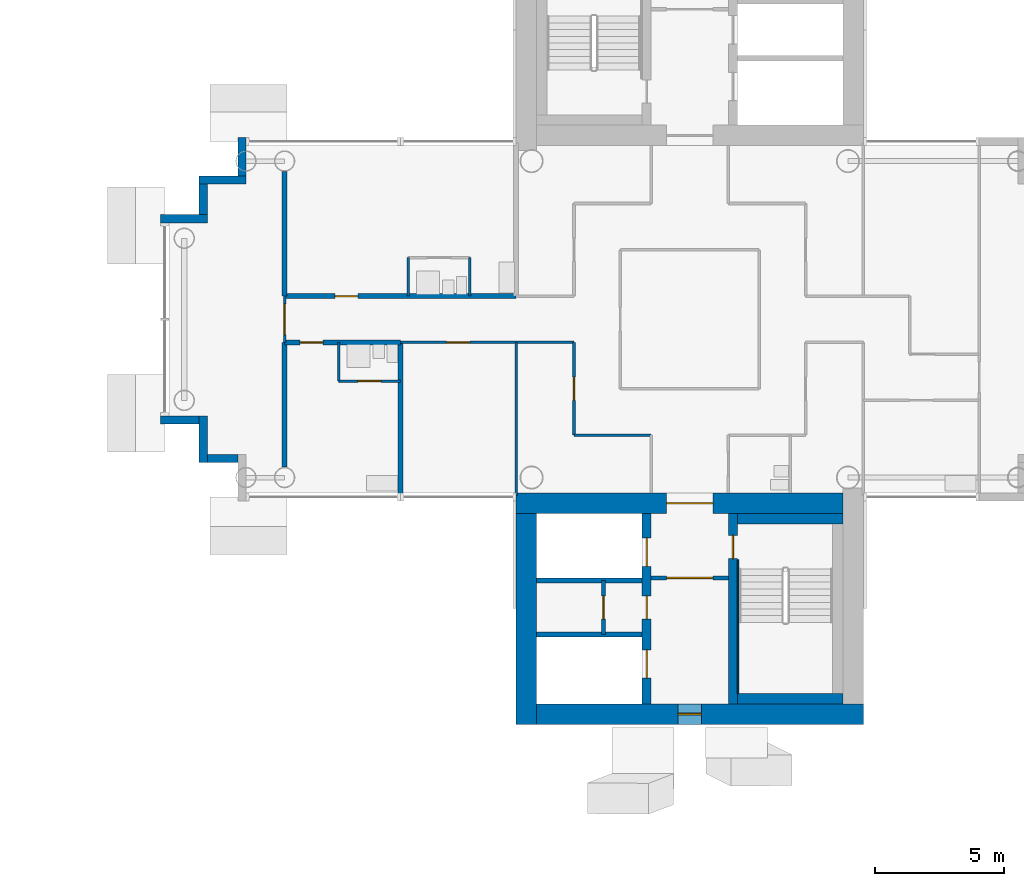
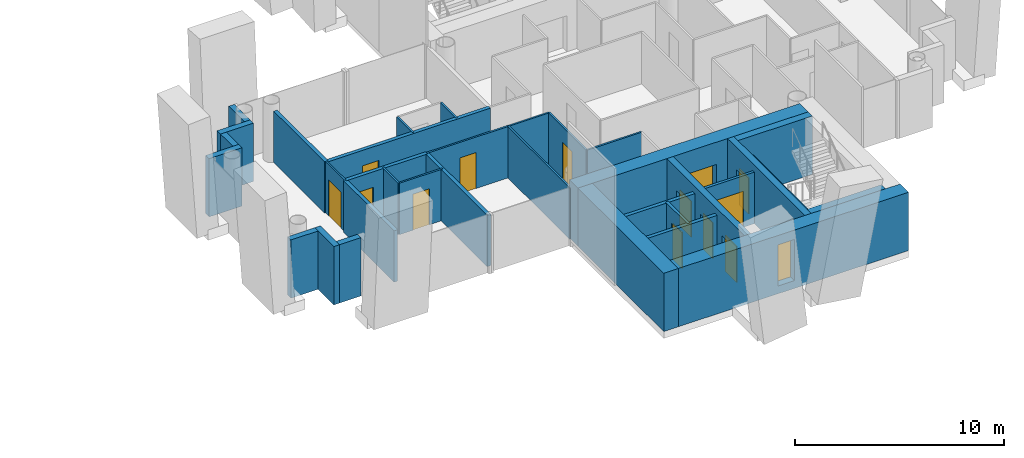
# One storey, part 9 of 18: 33 walls, 13 doors, 1 window, 14 openings.
"""IFC4 building model written with IfcOpenShell, lengths in metres."""

from ifc_helpers import new_model, si_unit, direction, frame, frame_2d, origin, place, context, subcontext, project, spatial, rectangle, extrude, material, layer, layer_set, type_object, element, fill, save


model = new_model("IFC4")

# Units and contexts
model_context = context("Model", 3, precision=1e-05, world=origin(), true_north=direction((0.0, 1.0)))
body_context = subcontext(model_context, "Body", "Model", "MODEL_VIEW")
ifc_project = project(units=[si_unit("LENGTHUNIT", "METRE"), si_unit("AREAUNIT", "SQUARE_METRE"), si_unit("VOLUMEUNIT", "CUBIC_METRE"), si_unit("PLANEANGLEUNIT", "RADIAN"), si_unit("MASSUNIT", "GRAM", prefix="KILO")], contexts=[model_context])

# Site, building, storey
site_placement = place(None, origin())
site = spatial("IfcSite", under=ifc_project, at=site_placement, CompositionType="ELEMENT")
building_placement = place(site_placement, origin())
building = spatial("IfcBuilding", under=site, at=building_placement, Name="Ipe Terrace Towers", CompositionType="ELEMENT")
storey_placement = place(building_placement, frame((0.0, 0.0, 164.300048828125)))
storey = spatial("IfcBuildingStorey", under=building, at=storey_placement, Name="L45", CompositionType="ELEMENT", Elevation=164.300048828125)

# Walls
ifc_material_1 = material(Name="Concrete C40/50 with buff precast cladding", Category="concrete")
ifc_layer_1 = layer(ifc_material_1, 0.320068359375)
ifc_layer_set_1 = layer_set([ifc_layer_1], Name="BUFF CLADDING WALL 320")
wall_type_1 = type_object("IfcWallType", Name="BUFF CLADDING WALL 320", PredefinedType="STANDARD", material=ifc_layer_set_1)
wall_1_placement = place(storey_placement, frame((18.590087890625, 7.070068359375, -0.300048828125), z_axis=(0.0, 0.0, 1.0), x_axis=(0.0, -1.0, 0.0)))
element("IfcWall", 1, at=wall_1_placement, inside=storey, type_object=wall_type_1, Name="T2-W-L45-30a wall", PredefinedType="STANDARD", context=body_context, shape_type="SweptSolid", body=[
    extrude(rectangle(XDim=1.5, YDim=0.320068359375, at=frame_2d((0.75, 0.0))), origin(), (0.0, 0.0, 1.0), 3.39990234375),
])
wall_2_placement = place(storey_placement, frame((18.75, 5.409912109375, -0.300048828125), z_axis=(0.0, 0.0, 1.0), x_axis=(-1.0, 0.0, 0.0)))
element("IfcWall", 2, at=wall_2_placement, inside=storey, type_object=wall_type_1, Name="T2-W-L45-31a wall", PredefinedType="STANDARD", context=body_context, shape_type="SweptSolid", body=[
    extrude(rectangle(XDim=1.820068359375, YDim=0.320068359375, at=frame_2d((0.91015625, 0.0))), origin(), (0.0, 0.0, 1.0), 3.39990234375),
])
wall_3_placement = place(storey_placement, frame((17.090087890625, 5.25, -0.300048828125), z_axis=(0.0, 0.0, 1.0), x_axis=(0.0, -1.0, 0.0)))
element("IfcWall", 3, at=wall_3_placement, inside=storey, type_object=wall_type_1, Name="T2-W-L45-32a wall", PredefinedType="STANDARD", context=body_context, shape_type="SweptSolid", body=[
    extrude(rectangle(XDim=1.179931640625, YDim=0.320068359375, at=frame_2d((0.58984375, 0.0))), origin(), (0.0, 0.0, 1.0), 3.39990234375),
])
wall_4_placement = place(storey_placement, frame((17.25, 3.909912109375, -0.300048828125), z_axis=(0.0, 0.0, 1.0), x_axis=(-1.0, 0.0, 0.0)))
element("IfcWall", 4, at=wall_4_placement, inside=storey, type_object=wall_type_1, Name="T2-W-L45-33a wall", PredefinedType="STANDARD", context=body_context, shape_type="SweptSolid", body=[
    extrude(rectangle(XDim=1.820068359375, YDim=0.320068359375, at=frame_2d((0.91015625, 0.0))), origin(), (0.0, 0.0, 1.0), 3.39990234375),
])
wall_5_placement = place(storey_placement, frame((15.429931640625, -3.909912109375, -0.300048828125), z_axis=(0.0, 0.0, 1.0), x_axis=(1.0, 0.0, 0.0)))
element("IfcWall", 5, at=wall_5_placement, inside=storey, type_object=wall_type_1, Name="T2-W-L45-35a wall", PredefinedType="STANDARD", context=body_context, shape_type="SweptSolid", body=[
    extrude(rectangle(XDim=1.5, YDim=0.320068359375, at=frame_2d((0.75, 0.0))), origin(), (0.0, 0.0, 1.0), 3.39990234375),
])
wall_6_placement = place(storey_placement, frame((17.090087890625, -3.75, -0.300048828125), z_axis=(0.0, 0.0, 1.0), x_axis=(0.0, -1.0, 0.0)))
element("IfcWall", 6, at=wall_6_placement, inside=storey, type_object=wall_type_1, Name="T2-W-L45-36a wall", PredefinedType="STANDARD", context=body_context, shape_type="SweptSolid", body=[
    extrude(rectangle(XDim=1.820068359375, YDim=0.320068359375, at=frame_2d((0.91015625, 0.0))), origin(), (0.0, 0.0, 1.0), 3.39990234375),
])
wall_7_placement = place(storey_placement, frame((17.25, -5.409912109375, -0.300048828125), z_axis=(0.0, 0.0, 1.0), x_axis=(1.0, 0.0, 0.0)))
element("IfcWall", 7, at=wall_7_placement, inside=storey, type_object=wall_type_1, Name="T2-W-L45-37a wall", PredefinedType="STANDARD", context=body_context, shape_type="SweptSolid", body=[
    extrude(rectangle(XDim=1.179931640625, YDim=0.320068359375, at=frame_2d((0.58984375, 0.0))), origin(), (0.0, 0.0, 1.0), 3.39990234375),
])
ifc_material_2 = material(Name="Gypsum board partition", Category="plasterboard")
ifc_layer_2 = layer(ifc_material_2, 0.10009765625)
ifc_layer_set_2 = layer_set([ifc_layer_2], Name="Gypsum board partition 100 mm")
wall_type_2 = type_object("IfcWallType", Name="Gypsum board partition 100 mm", PredefinedType="PARTITIONING", material=ifc_layer_set_2)
wall_8_placement = place(storey_placement, frame((34.5, -4.5, 0.0), z_axis=(0.0, 0.0, 1.0), x_axis=(-1.0, 0.0, 0.0)))
element("IfcWall", 8, at=wall_8_placement, inside=storey, type_object=wall_type_2, Name="Gypsum board partition T2 L45 W02", PredefinedType="PARTITIONING", context=body_context, shape_type="SweptSolid", body=[
    extrude(rectangle(XDim=3.0, YDim=0.10009765625, at=frame_2d((1.5, 0.0))), origin(), (0.0, 0.0, 1.0), 3.0),
])

# Wall, opening, door
wall_9_placement = place(storey_placement, frame((24.75, -2.39990234375, 0.0), z_axis=(0.0, 0.0, 1.0), x_axis=(-1.0, 0.0, 0.0)))
wall_9 = element("IfcWall", 9, at=wall_9_placement, inside=storey, type_object=wall_type_2, Name="Gypsum board partition T2 L45 W05", PredefinedType="PARTITIONING", context=body_context, shape_type="SweptSolid", body=[
    extrude(rectangle(XDim=2.39990234375, YDim=0.10009765625, at=frame_2d((1.199951171875, 0.0))), origin(), (0.0, 0.0, 1.0), 3.0),
])
opening_1_placement = place(wall_9_placement, frame((0.75, 0.0, 0.0)))
opening_1 = element("IfcOpeningElement", 10, at=opening_1_placement, cuts=wall_9, Name="Opening T2-Z3F-09", PredefinedType="OPENING", context=body_context, shape_type="SweptSolid", body=[
    extrude(rectangle(XDim=0.89990234375, YDim=2.10009765625, at=frame_2d((0.449951171875, 1.050048828125))), frame((0.0, 0.06005859375, 0.0), z_axis=(0.0, -1.0, 0.0), x_axis=(1.0, 0.0, 0.0)), (0.0, 0.0, 1.0), 0.1201171875),
])
ifc_material_3 = material(Name="Timber door leaf", Category="wood")
door_type_1 = type_object("IfcDoorType", Name="Bathroom door 900 x 2100", OperationType="NOTDEFINED", PredefinedType="DOOR", material=ifc_material_3)
door_1_placement = place(opening_1_placement, origin())
door_1 = element("IfcDoor", 11, at=door_1_placement, inside=storey, type_object=door_type_1, Name="Bathroom door T2-Z3F-09", OperationType="SINGLE_SWING_LEFT", OverallHeight=2.10009765625, OverallWidth=0.89990234375, PredefinedType="DOOR", context=body_context, shape_type="SweptSolid", body=[
    extrude(rectangle(XDim=0.89990234375, YDim=2.10009765625, at=frame_2d((0.449951171875, 1.050048828125))), frame((0.0, 0.02490234375, 0.0), z_axis=(0.0, -1.0, 0.0), x_axis=(1.0, 0.0, 0.0)), (0.0, 0.0, 1.0), 0.050048828125),
])
fill(opening_1, door_1)

wall_10_placement = place(storey_placement, frame((31.5, -0.89990234375, 0.0), z_axis=(0.0, 0.0, 1.0), x_axis=(-1.0, 0.0, 0.0)))
wall_10 = element("IfcWall", 12, at=wall_10_placement, inside=storey, type_object=wall_type_2, Name="Gypsum board partition T2 L45 W08", PredefinedType="PARTITIONING", context=body_context, shape_type="SweptSolid", body=[
    extrude(rectangle(XDim=6.75, YDim=0.10009765625, at=frame_2d((3.375, 0.0))), origin(), (0.0, 0.0, 1.0), 3.0),
])
opening_2_placement = place(wall_10_placement, frame((4.050048828125, 0.0, 0.0)))
opening_2 = element("IfcOpeningElement", 13, at=opening_2_placement, cuts=wall_10, Name="Opening T2-Z3F-07", PredefinedType="OPENING", context=body_context, shape_type="SweptSolid", body=[
    extrude(rectangle(XDim=0.89990234375, YDim=2.10009765625, at=frame_2d((0.449951171875, 1.050048828125))), frame((0.0, 0.06005859375, 0.0), z_axis=(0.0, -1.0, 0.0), x_axis=(1.0, 0.0, 0.0)), (0.0, 0.0, 1.0), 0.1201171875),
])
ifc_material_4 = material(Name="Timber door leaf", Category="wood")
door_type_2 = type_object("IfcDoorType", Name="Lounge door 900 x 2100", OperationType="NOTDEFINED", PredefinedType="DOOR", material=ifc_material_4)
door_2_placement = place(opening_2_placement, origin())
door_2 = element("IfcDoor", 14, at=door_2_placement, inside=storey, type_object=door_type_2, Name="Lounge door T2-Z3F-07", OperationType="SINGLE_SWING_LEFT", OverallHeight=2.10009765625, OverallWidth=0.89990234375, PredefinedType="DOOR", context=body_context, shape_type="SweptSolid", body=[
    extrude(rectangle(XDim=0.89990234375, YDim=2.10009765625, at=frame_2d((0.449951171875, 1.050048828125))), frame((0.0, 0.02490234375, 0.0), z_axis=(0.0, -1.0, 0.0), x_axis=(1.0, 0.0, 0.0)), (0.0, 0.0, 1.0), 0.050048828125),
])
fill(opening_2, door_2)

wall_11_placement = place(storey_placement, frame((31.5, -4.5, 0.0), z_axis=(0.0, 0.0, 1.0), x_axis=(0.0, 1.0, 0.0)))
wall_11 = element("IfcWall", 15, at=wall_11_placement, inside=storey, type_object=wall_type_2, Name="Gypsum board partition T2 L45 W41", PredefinedType="PARTITIONING", context=body_context, shape_type="SweptSolid", body=[
    extrude(rectangle(XDim=3.60009765625, YDim=0.10009765625, at=frame_2d((1.800048828125, 0.0))), origin(), (0.0, 0.0, 1.0), 3.0),
])
opening_3_placement = place(wall_11_placement, frame((1.35009765625, 0.0, 0.0)))
opening_3 = element("IfcOpeningElement", 16, at=opening_3_placement, cuts=wall_11, Name="Opening T2-Z3F-04", PredefinedType="OPENING", context=body_context, shape_type="SweptSolid", body=[
    extrude(rectangle(XDim=0.89990234375, YDim=2.10009765625, at=frame_2d((0.449951171875, 1.050048828125))), frame((0.0, 0.06005859375, 0.0), z_axis=(0.0, -1.0, 0.0), x_axis=(1.0, 0.0, 0.0)), (0.0, 0.0, 1.0), 0.1201171875),
])
door_3_placement = place(opening_3_placement, origin())
door_3 = element("IfcDoor", 17, at=door_3_placement, inside=storey, type_object=door_type_2, Name="Lounge door T2-Z3F-04", OperationType="SINGLE_SWING_LEFT", OverallHeight=2.10009765625, OverallWidth=0.89990234375, PredefinedType="DOOR", context=body_context, shape_type="SweptSolid", body=[
    extrude(rectangle(XDim=0.89990234375, YDim=2.10009765625, at=frame_2d((0.449951171875, 1.050048828125))), frame((0.0, 0.02490234375, 0.0), z_axis=(0.0, -1.0, 0.0), x_axis=(1.0, 0.0, 0.0)), (0.0, 0.0, 1.0), 0.050048828125),
])
fill(opening_3, door_3)

# Walls
wall_12_placement = place(storey_placement, frame((29.25, -6.85009765625, 0.0), z_axis=(0.0, 0.0, 1.0), x_axis=(0.0, 1.0, 0.0)))
element("IfcWall", 18, at=wall_12_placement, inside=storey, type_object=wall_type_2, Name="Gypsum board partition T2 L45 W43", PredefinedType="PARTITIONING", context=body_context, shape_type="SweptSolid", body=[
    extrude(rectangle(XDim=5.9501953125, YDim=0.10009765625, at=frame_2d((2.97509765625, 0.0))), origin(), (0.0, 0.0, 1.0), 3.0),
])
for number, where, z_axis, x_axis, name in (
    (19, (27.449951171875, 0.89990234375, 0.0), (0.0, 0.0, 1.0), (0.0, 1.0, 0.0), "Gypsum board partition T2 L45 W45"),
    (20, (25.050048828125, 0.89990234375, 0.0), (0.0, 0.0, 1.0), (0.0, 1.0, 0.0), "Gypsum board partition T2 L45 W46"),
    (21, (22.35009765625, -2.39990234375, 0.0), (0.0, 0.0, 1.0), (0.0, 1.0, 0.0), "Gypsum board partition T2 L45 W48"),
):
    element("IfcWall", number, at=place(storey_placement, frame(where, z_axis=z_axis, x_axis=x_axis)), inside=storey, type_object=wall_type_2, Name=name, PredefinedType="PARTITIONING", context=body_context, shape_type="SweptSolid", body=[
        extrude(rectangle(XDim=1.5, YDim=0.10009765625, at=frame_2d((0.75, 0.0))), origin(), (0.0, 0.0, 1.0), 3.0),
    ])

# Wall, opening, door
wall_13_placement = place(storey_placement, frame((20.25, -0.89990234375, 0.0), z_axis=(0.0, 0.0, 1.0), x_axis=(0.0, 1.0, 0.0)))
wall_13 = element("IfcWall", 22, at=wall_13_placement, inside=storey, type_object=wall_type_2, Name="Gypsum board partition T2 L45 W49", PredefinedType="PARTITIONING", context=body_context, shape_type="SweptSolid", body=[
    extrude(rectangle(XDim=1.7998046875, YDim=0.10009765625, at=frame_2d((0.89990234375, 0.0))), origin(), (0.0, 0.0, 1.0), 3.0),
])
opening_4_placement = place(wall_13_placement, frame((0.300048828125, 0.0, 0.0)))
opening_4 = element("IfcOpeningElement", 23, at=opening_4_placement, cuts=wall_13, Name="Opening T2-Z3F-12", PredefinedType="OPENING", context=body_context, shape_type="SweptSolid", body=[
    extrude(rectangle(XDim=1.199951171875, YDim=2.10009765625, at=frame_2d((0.60009765625, 1.050048828125))), frame((0.0, 0.06005859375, 0.0), z_axis=(0.0, -1.0, 0.0), x_axis=(1.0, 0.0, 0.0)), (0.0, 0.0, 1.0), 0.1201171875),
])
ifc_material_5 = material(Name="Timber door leaf", Category="wood")
door_type_3 = type_object("IfcDoorType", Name="Lounge door 1200 x 2100", OperationType="NOTDEFINED", PredefinedType="DOOR", material=ifc_material_5)
door_4_placement = place(opening_4_placement, origin())
door_4 = element("IfcDoor", 24, at=door_4_placement, inside=storey, type_object=door_type_3, Name="Lounge door T2-Z3F-12", OperationType="SINGLE_SWING_LEFT", OverallHeight=2.10009765625, OverallWidth=1.199951171875, PredefinedType="DOOR", context=body_context, shape_type="SweptSolid", body=[
    extrude(rectangle(XDim=1.199951171875, YDim=2.10009765625, at=frame_2d((0.60009765625, 1.050048828125))), frame((0.0, 0.02490234375, 0.0), z_axis=(0.0, -1.0, 0.0), x_axis=(1.0, 0.0, 0.0)), (0.0, 0.0, 1.0), 0.050048828125),
])
fill(opening_4, door_4)

ifc_material_6 = material(Name="Gypsum board partition", Category="plasterboard")
ifc_layer_3 = layer(ifc_material_6, 0.14990234375)
ifc_layer_set_3 = layer_set([ifc_layer_3], Name="Gypsum board partition 150 mm")
wall_type_3 = type_object("IfcWallType", Name="Gypsum board partition 150 mm", PredefinedType="PARTITIONING", material=ifc_layer_set_3)
wall_14_placement = place(storey_placement, frame((34.5, -10.050048828125, 0.0), z_axis=(0.0, 0.0, 1.0), x_axis=(1.0, 0.0, 0.0)))
wall_14 = element("IfcWall", 25, at=wall_14_placement, inside=storey, type_object=wall_type_3, Name="Gypsum board partition T2 L45 t2c2-lobby-wall", PredefinedType="PARTITIONING", context=body_context, shape_type="SweptSolid", body=[
    extrude(rectangle(XDim=3.0, YDim=0.14990234375, at=frame_2d((1.5, 0.0))), origin(), (0.0, 0.0, 1.0), 3.0),
])
opening_5_placement = place(wall_14_placement, frame((0.60009765625, 0.0, 0.0)))
opening_5 = element("IfcOpeningElement", 26, at=opening_5_placement, cuts=wall_14, Name="Opening T2C2-VD", PredefinedType="OPENING", context=body_context, shape_type="SweptSolid", body=[
    extrude(rectangle(XDim=1.800048828125, YDim=2.10009765625, at=frame_2d((0.89990234375, 1.050048828125))), frame((0.0, 0.0849609375, 0.0), z_axis=(0.0, -1.0, 0.0), x_axis=(1.0, 0.0, 0.0)), (0.0, 0.0, 1.0), 0.169921875),
])
ifc_material_7 = material(Name="Fire-rated timber door leaf", Category="wood")
door_type_4 = type_object("IfcDoorType", Name="Lobby door 1800 x 2100 FD60", OperationType="NOTDEFINED", PredefinedType="DOOR", material=ifc_material_7)
door_5_placement = place(opening_5_placement, origin())
door_5 = element("IfcDoor", 27, at=door_5_placement, inside=storey, type_object=door_type_4, Name="Lobby door T2C2-VD", OperationType="SINGLE_SWING_LEFT", OverallHeight=2.10009765625, OverallWidth=1.800048828125, PredefinedType="DOOR", context=body_context, shape_type="SweptSolid", body=[
    extrude(rectangle(XDim=1.800048828125, YDim=2.10009765625, at=frame_2d((0.89990234375, 1.050048828125))), frame((0.0, 0.02490234375, 0.0), z_axis=(0.0, -1.0, 0.0), x_axis=(1.0, 0.0, 0.0)), (0.0, 0.0, 1.0), 0.050048828125),
])
fill(opening_5, door_5)

wall_15_placement = place(storey_placement, frame((32.64990234375, -10.14990234375, 0.0), z_axis=(0.0, 0.0, 1.0), x_axis=(0.0, -1.0, 0.0)))
wall_15 = element("IfcWall", 28, at=wall_15_placement, inside=storey, type_object=wall_type_3, Name="Gypsum board partition T2 L45 t2c2-q-back", PredefinedType="PARTITIONING", context=body_context, shape_type="SweptSolid", body=[
    extrude(rectangle(XDim=2.10009765625, YDim=0.14990234375, at=frame_2d((1.050048828125, 0.0))), origin(), (0.0, 0.0, 1.0), 3.0),
])
opening_6_placement = place(wall_15_placement, frame((0.60009765625, 0.0, 0.0)))
opening_6 = element("IfcOpeningElement", 29, at=opening_6_placement, cuts=wall_15, Name="Opening T2C2-RB-FD30S", PredefinedType="OPENING", context=body_context, shape_type="SweptSolid", body=[
    extrude(rectangle(XDim=0.89990234375, YDim=2.10009765625, at=frame_2d((0.449951171875, 1.050048828125))), frame((0.0, 0.0849609375, 0.0), z_axis=(0.0, -1.0, 0.0), x_axis=(1.0, 0.0, 0.0)), (0.0, 0.0, 1.0), 0.169921875),
])
ifc_material_8 = material(Name="Fire-rated timber door leaf", Category="wood")
door_type_5 = type_object("IfcDoorType", Name="Service door 900 x 2100 FD30S", OperationType="NOTDEFINED", PredefinedType="DOOR", material=ifc_material_8)
door_6_placement = place(opening_6_placement, origin())
door_6 = element("IfcDoor", 30, at=door_6_placement, inside=storey, type_object=door_type_5, Name="Service door T2C2-RB-FD30S", OperationType="SINGLE_SWING_LEFT", OverallHeight=2.10009765625, OverallWidth=0.89990234375, PredefinedType="DOOR", context=body_context, shape_type="SweptSolid", body=[
    extrude(rectangle(XDim=0.89990234375, YDim=2.10009765625, at=frame_2d((0.449951171875, 1.050048828125))), frame((0.0, 0.02490234375, 0.0), z_axis=(0.0, -1.0, 0.0), x_axis=(1.0, 0.0, 0.0)), (0.0, 0.0, 1.0), 0.050048828125),
])
fill(opening_6, door_6)

# Walls
ifc_material_9 = material(Name="Gypsum board party wall", Category="plasterboard")
ifc_layer_4 = layer(ifc_material_9, 0.199951171875)
ifc_layer_set_4 = layer_set([ifc_layer_4], Name="Gypsum board party wall 200 mm")
wall_type_4 = type_object("IfcWallType", Name="Gypsum board party wall 200 mm", PredefinedType="SOLIDWALL", material=ifc_layer_set_4)
for number, where, z_axis, x_axis, name in (
    (31, (30.050048828125, -12.25, 0.0), (0.0, 0.0, 1.0), (1.0, 0.0, 0.0), "Gypsum board party wall T2 L45 t2c2-shaft-div2"),
    (32, (30.050048828125, -10.14990234375, 0.0), (0.0, 0.0, 1.0), (1.0, 0.0, 0.0), "Gypsum board party wall T2 L45 t2c2-shaft-div1"),
):
    element("IfcWall", number, at=place(storey_placement, frame(where, z_axis=z_axis, x_axis=x_axis)), inside=storey, type_object=wall_type_4, Name=name, PredefinedType="SOLIDWALL", context=body_context, shape_type="SweptSolid", body=[
        extrude(rectangle(XDim=4.099853515625, YDim=0.199951171875, at=frame_2d((2.0498046875, 0.0))), origin(), (0.0, 0.0, 1.0), 3.0),
    ])

# Wall, opening, door
wall_16_placement = place(storey_placement, frame((24.75, -0.89990234375, 0.0), z_axis=(0.0, 0.0, 1.0), x_axis=(-1.0, 0.0, 0.0)))
wall_16 = element("IfcWall", 33, at=wall_16_placement, inside=storey, type_object=wall_type_4, Name="Gypsum board party wall T2 L45 W09", PredefinedType="SOLIDWALL", context=body_context, shape_type="SweptSolid", body=[
    extrude(rectangle(XDim=4.5, YDim=0.199951171875, at=frame_2d((2.25, 0.0))), origin(), (0.0, 0.0, 1.0), 3.0),
])
opening_7_placement = place(wall_16_placement, frame((3.0, 0.0, 0.0)))
opening_7 = element("IfcOpeningElement", 34, at=opening_7_placement, cuts=wall_16, Name="Opening T2-Z3F-08", PredefinedType="OPENING", context=body_context, shape_type="SweptSolid", body=[
    extrude(rectangle(XDim=0.89990234375, YDim=2.10009765625, at=frame_2d((0.449951171875, 1.050048828125))), frame((0.0, 0.10986328125, 0.0), z_axis=(0.0, -1.0, 0.0), x_axis=(1.0, 0.0, 0.0)), (0.0, 0.0, 1.0), 0.219970703125),
])
ifc_material_10 = material(Name="Fire-rated timber door leaf", Category="wood")
door_type_6 = type_object("IfcDoorType", Name="Flat entrance door 900 x 2100 FD30S", OperationType="NOTDEFINED", PredefinedType="DOOR", material=ifc_material_10)
door_7_placement = place(opening_7_placement, origin())
door_7 = element("IfcDoor", 35, at=door_7_placement, inside=storey, type_object=door_type_6, Name="Flat entrance door T2-Z3F-08", OperationType="SINGLE_SWING_LEFT", OverallHeight=2.10009765625, OverallWidth=0.89990234375, PredefinedType="DOOR", context=body_context, shape_type="SweptSolid", body=[
    extrude(rectangle(XDim=0.89990234375, YDim=2.10009765625, at=frame_2d((0.449951171875, 1.050048828125))), frame((0.0, 0.02490234375, 0.0), z_axis=(0.0, -1.0, 0.0), x_axis=(1.0, 0.0, 0.0)), (0.0, 0.0, 1.0), 0.050048828125),
])
fill(opening_7, door_7)

wall_17_placement = place(storey_placement, frame((29.25, 0.89990234375, 0.0), z_axis=(0.0, 0.0, 1.0), x_axis=(-1.0, 0.0, 0.0)))
wall_17 = element("IfcWall", 36, at=wall_17_placement, inside=storey, type_object=wall_type_4, Name="Gypsum board party wall T2 L45 W12", PredefinedType="SOLIDWALL", context=body_context, shape_type="SweptSolid", body=[
    extrude(rectangle(XDim=9.0, YDim=0.199951171875, at=frame_2d((4.5, 0.0))), origin(), (0.0, 0.0, 1.0), 3.0),
])
opening_8_placement = place(wall_17_placement, frame((6.14990234375, 0.0, 0.0)))
opening_8 = element("IfcOpeningElement", 37, at=opening_8_placement, cuts=wall_17, Name="Opening T2-Z3F-10", PredefinedType="OPENING", context=body_context, shape_type="SweptSolid", body=[
    extrude(rectangle(XDim=0.89990234375, YDim=2.10009765625, at=frame_2d((0.449951171875, 1.050048828125))), frame((0.0, 0.10986328125, 0.0), z_axis=(0.0, -1.0, 0.0), x_axis=(1.0, 0.0, 0.0)), (0.0, 0.0, 1.0), 0.219970703125),
])
door_8_placement = place(opening_8_placement, origin())
door_8 = element("IfcDoor", 38, at=door_8_placement, inside=storey, type_object=door_type_6, Name="Flat entrance door T2-Z3F-10", OperationType="SINGLE_SWING_RIGHT", OverallHeight=2.10009765625, OverallWidth=0.89990234375, PredefinedType="DOOR", context=body_context, shape_type="SweptSolid", body=[
    extrude(rectangle(XDim=0.89990234375, YDim=2.10009765625, at=frame_2d((0.449951171875, 1.050048828125))), frame((0.0, 0.02490234375, 0.0), z_axis=(0.0, -1.0, 0.0), x_axis=(1.0, 0.0, 0.0)), (0.0, 0.0, 1.0), 0.050048828125),
])
fill(opening_8, door_8)

# Walls
wall_18_placement = place(storey_placement, frame((24.75, -6.85009765625, 0.0), z_axis=(0.0, 0.0, 1.0), x_axis=(0.0, 1.0, 0.0)))
element("IfcWall", 39, at=wall_18_placement, inside=storey, type_object=wall_type_4, Name="Gypsum board party wall T2 L45 W47", PredefinedType="SOLIDWALL", context=body_context, shape_type="SweptSolid", body=[
    extrude(rectangle(XDim=5.9501953125, YDim=0.199951171875, at=frame_2d((2.97509765625, 0.0))), origin(), (0.0, 0.0, 1.0), 3.0),
])
for number, where, z_axis, x_axis, name in (
    (40, (20.25, -5.75, 0.0), (0.0, 0.0, 1.0), (0.0, 1.0, 0.0), "Gypsum board party wall T2 L45 W50"),
    (41, (20.25, 0.89990234375, 0.0), (0.0, 0.0, 1.0), (0.0, 1.0, 0.0), "Gypsum board party wall T2 L45 W51"),
):
    element("IfcWall", number, at=place(storey_placement, frame(where, z_axis=z_axis, x_axis=x_axis)), inside=storey, type_object=wall_type_4, Name=name, PredefinedType="SOLIDWALL", context=body_context, shape_type="SweptSolid", body=[
        extrude(rectangle(XDim=4.85009765625, YDim=0.199951171875, at=frame_2d((2.425048828125, 0.0))), origin(), (0.0, 0.0, 1.0), 3.0),
    ])

# Wall, openings, doors
ifc_material_11 = material(Name="Concrete C50/60", Category="concrete")
ifc_layer_5 = layer(ifc_material_11, 0.35009765625)
ifc_layer_set_5 = layer_set([ifc_layer_5], Name="RW350 CORE SPINE WALL 350 C50-60")
wall_type_5 = type_object("IfcWallType", Name="RW350 CORE SPINE WALL 350 C50-60", PredefinedType="SHEAR", material=ifc_layer_set_5)
wall_19_placement = place(storey_placement, frame((34.324951171875, -14.949951171875, 0.0), z_axis=(0.0, 0.0, 1.0), x_axis=(0.0, 1.0, 0.0)))
wall_19 = element("IfcWall", 42, at=wall_19_placement, inside=storey, type_object=wall_type_5, Name="Core spine wall T2-C2-Z3-SW1", PredefinedType="SHEAR", context=body_context, shape_type="SweptSolid", body=[
    extrude(rectangle(XDim=7.39990234375, YDim=0.35009765625, at=frame_2d((3.699951171875, 0.0))), origin(), (0.0, 0.0, 1.0), 3.39990234375),
])
opening_9_placement = place(wall_19_placement, frame((5.35009765625, 0.0, 0.0)))
opening_9 = element("IfcOpeningElement", 43, at=opening_9_placement, cuts=wall_19, Name="Opening T2C2-LD1", PredefinedType="OPENING", context=body_context, shape_type="SweptSolid", body=[
    extrude(rectangle(XDim=1.10009765625, YDim=2.10009765625, at=frame_2d((0.550048828125, 1.050048828125))), frame((0.0, 0.18505859375, 0.0), z_axis=(0.0, -1.0, 0.0), x_axis=(1.0, 0.0, 0.0)), (0.0, 0.0, 1.0), 0.3701171875),
])
opening_10_placement = place(wall_19_placement, frame((1.0, 0.0, 0.0)))
opening_10 = element("IfcOpeningElement", 44, at=opening_10_placement, cuts=wall_19, Name="Opening T2C2-LD3", PredefinedType="OPENING", context=body_context, shape_type="SweptSolid", body=[
    extrude(rectangle(XDim=1.10009765625, YDim=2.10009765625, at=frame_2d((0.550048828125, 1.050048828125))), frame((0.0, 0.18505859375, 0.0), z_axis=(0.0, -1.0, 0.0), x_axis=(1.0, 0.0, 0.0)), (0.0, 0.0, 1.0), 0.3701171875),
])
opening_11_placement = place(wall_19_placement, frame((3.300048828125, 0.0, 0.0)))
opening_11 = element("IfcOpeningElement", 45, at=opening_11_placement, cuts=wall_19, Name="Opening T2C2-R1", PredefinedType="OPENING", context=body_context, shape_type="SweptSolid", body=[
    extrude(rectangle(XDim=0.89990234375, YDim=2.10009765625, at=frame_2d((0.449951171875, 1.050048828125))), frame((0.0, 0.18505859375, 0.0), z_axis=(0.0, -1.0, 0.0), x_axis=(1.0, 0.0, 0.0)), (0.0, 0.0, 1.0), 0.3701171875),
])
ifc_material_12 = material(Name="Fire-rated timber door leaf", Category="wood")
door_type_7 = type_object("IfcDoorType", Name="Sliding door 1100 x 2100 FD60", OperationType="SLIDING_TO_LEFT", PredefinedType="DOOR", material=ifc_material_12)
door_9_placement = place(opening_9_placement, origin())
door_9 = element("IfcDoor", 46, at=door_9_placement, inside=storey, type_object=door_type_7, Name="Sliding door T2C2-LD1", OperationType="SLIDING_TO_LEFT", OverallHeight=2.10009765625, OverallWidth=1.10009765625, PredefinedType="DOOR", context=body_context, shape_type="SweptSolid", body=[
    extrude(rectangle(XDim=1.10009765625, YDim=2.10009765625, at=frame_2d((0.550048828125, 1.050048828125))), frame((0.0, 0.02490234375, 0.0), z_axis=(0.0, -1.0, 0.0), x_axis=(1.0, 0.0, 0.0)), (0.0, 0.0, 1.0), 0.050048828125),
])
fill(opening_9, door_9)
door_10_placement = place(opening_10_placement, origin())
door_10 = element("IfcDoor", 47, at=door_10_placement, inside=storey, type_object=door_type_7, Name="Sliding door T2C2-LD3", OperationType="SLIDING_TO_LEFT", OverallHeight=2.10009765625, OverallWidth=1.10009765625, PredefinedType="DOOR", context=body_context, shape_type="SweptSolid", body=[
    extrude(rectangle(XDim=1.10009765625, YDim=2.10009765625, at=frame_2d((0.550048828125, 1.050048828125))), frame((0.0, 0.02490234375, 0.0), z_axis=(0.0, -1.0, 0.0), x_axis=(1.0, 0.0, 0.0)), (0.0, 0.0, 1.0), 0.050048828125),
])
fill(opening_10, door_10)
ifc_material_13 = material(Name="Timber door leaf", Category="wood")
door_type_8 = type_object("IfcDoorType", Name="Store door 900 x 2100", OperationType="NOTDEFINED", PredefinedType="DOOR", material=ifc_material_13)
door_11_placement = place(opening_11_placement, origin())
door_11 = element("IfcDoor", 48, at=door_11_placement, inside=storey, type_object=door_type_8, Name="Store door T2C2-R1", OperationType="SINGLE_SWING_LEFT", OverallHeight=2.10009765625, OverallWidth=0.89990234375, PredefinedType="DOOR", context=body_context, shape_type="SweptSolid", body=[
    extrude(rectangle(XDim=0.89990234375, YDim=2.10009765625, at=frame_2d((0.449951171875, 1.050048828125))), frame((0.0, 0.02490234375, 0.0), z_axis=(0.0, -1.0, 0.0), x_axis=(1.0, 0.0, 0.0)), (0.0, 0.0, 1.0), 0.050048828125),
])
fill(opening_11, door_11)

# Wall, opening, door
wall_20_placement = place(storey_placement, frame((37.675048828125, -14.949951171875, 0.0), z_axis=(0.0, 0.0, 1.0), x_axis=(0.0, 1.0, 0.0)))
wall_20 = element("IfcWall", 49, at=wall_20_placement, inside=storey, type_object=wall_type_5, Name="Core spine wall T2-C2-Z3-SW2", PredefinedType="SHEAR", context=body_context, shape_type="SweptSolid", body=[
    extrude(rectangle(XDim=7.39990234375, YDim=0.35009765625, at=frame_2d((3.699951171875, 0.0))), origin(), (0.0, 0.0, 1.0), 3.39990234375),
])
opening_12_placement = place(wall_20_placement, frame((5.64990234375, 0.0, 0.0)))
opening_12 = element("IfcOpeningElement", 50, at=opening_12_placement, cuts=wall_20, Name="Opening T2C2-SD", PredefinedType="OPENING", context=body_context, shape_type="SweptSolid", body=[
    extrude(rectangle(XDim=0.89990234375, YDim=2.10009765625, at=frame_2d((0.449951171875, 1.050048828125))), frame((0.0, 0.18505859375, 0.0), z_axis=(0.0, -1.0, 0.0), x_axis=(1.0, 0.0, 0.0)), (0.0, 0.0, 1.0), 0.3701171875),
])
ifc_material_14 = material(Name="Fire-rated timber door leaf", Category="wood")
door_type_9 = type_object("IfcDoorType", Name="Stair door 900 x 2100 FD60", OperationType="NOTDEFINED", PredefinedType="DOOR", material=ifc_material_14)
door_12_placement = place(opening_12_placement, origin())
door_12 = element("IfcDoor", 51, at=door_12_placement, inside=storey, type_object=door_type_9, Name="Stair door T2C2-SD", OperationType="SINGLE_SWING_RIGHT", OverallHeight=2.10009765625, OverallWidth=0.89990234375, PredefinedType="DOOR", context=body_context, shape_type="SweptSolid", body=[
    extrude(rectangle(XDim=0.89990234375, YDim=2.10009765625, at=frame_2d((0.449951171875, 1.050048828125))), frame((0.0, 0.02490234375, 0.0), z_axis=(0.0, -1.0, 0.0), x_axis=(1.0, 0.0, 0.0)), (0.0, 0.0, 1.0), 0.050048828125),
])
fill(opening_12, door_12)

# Walls
ifc_material_15 = material(Name="Concrete C50/60", Category="concrete")
ifc_layer_6 = layer(ifc_material_15, 0.39990234375)
ifc_layer_set_6 = layer_set([ifc_layer_6], Name="RW400 CORE INFILL WALL 400 C50-60")
wall_type_6 = type_object("IfcWallType", Name="RW400 CORE INFILL WALL 400 C50-60", PredefinedType="SHEAR", material=ifc_layer_set_6)
for number, where, z_axis, x_axis, name in (
    (52, (37.85009765625, -14.75, 0.0), (0.0, 0.0, 1.0), (1.0, 0.0, 0.0), "Core infill wall T2-C2-far"),
    (53, (37.85009765625, -7.75, 0.0), (0.0, 0.0, 1.0), (1.0, 0.0, 0.0), "Core infill wall T2-C2-near"),
):
    element("IfcWall", number, at=place(storey_placement, frame(where, z_axis=z_axis, x_axis=x_axis)), inside=storey, type_object=wall_type_6, Name=name, PredefinedType="SHEAR", context=body_context, shape_type="SweptSolid", body=[
        extrude(rectangle(XDim=4.099853515625, YDim=0.39990234375, at=frame_2d((2.0498046875, 0.0))), origin(), (0.0, 0.0, 1.0), 3.39990234375),
    ])
ifc_material_16 = material(Name="Concrete C50/60", Category="concrete")
ifc_layer_7 = layer(ifc_material_16, 0.050048828125)
ifc_layer_set_7 = layer_set([ifc_layer_7], Name="RW50 CORE INFILL WALL 50 C50-60")
wall_type_7 = type_object("IfcWallType", Name="RW50 CORE INFILL WALL 50 C50-60", PredefinedType="SHEAR", material=ifc_layer_set_7)
wall_21_placement = place(storey_placement, frame((37.875, -9.35009765625, 0.0), z_axis=(0.0, 0.0, 1.0), x_axis=(0.0, -1.0, 0.0)))
element("IfcWall", 54, at=wall_21_placement, inside=storey, type_object=wall_type_7, Name="Core infill wall T2-C2-spine-b", PredefinedType="SHEAR", context=body_context, shape_type="SweptSolid", body=[
    extrude(rectangle(XDim=5.199951171875, YDim=0.050048828125, at=frame_2d((2.60009765625, 0.0))), origin(), (0.0, 0.0, 1.0), 3.39990234375),
])

# Wall, opening, window
ifc_material_17 = material(Name="Concrete C50/60", Category="concrete")
ifc_layer_8 = layer(ifc_material_17, 0.800048828125)
ifc_layer_set_8 = layer_set([ifc_layer_8], Name="RW800 CORE WALL 800 C50-60")
wall_type_8 = type_object("IfcWallType", Name="RW800 CORE WALL 800 C50-60", PredefinedType="SHEAR", material=ifc_layer_set_8)
wall_22_placement = place(storey_placement, frame((30.050048828125, -15.35009765625, 0.0), z_axis=(0.0, 0.0, 1.0), x_axis=(1.0, 0.0, 0.0)))
wall_22 = element("IfcWall", 55, at=wall_22_placement, inside=storey, type_object=wall_type_8, Name="Core wall T2-C2-Z3-W01", PredefinedType="SHEAR", context=body_context, shape_type="SweptSolid", body=[
    extrude(rectangle(XDim=12.699951171875, YDim=0.800048828125, at=frame_2d((6.35009765625, 0.0))), origin(), (0.0, 0.0, 1.0), 3.39990234375),
])
opening_13_placement = place(wall_22_placement, frame((5.5, 0.0, 0.449951171875)))
opening_13 = element("IfcOpeningElement", 56, at=opening_13_placement, cuts=wall_22, Name="Opening T2-C2-W-01-L45", PredefinedType="OPENING", context=body_context, shape_type="SweptSolid", body=[
    extrude(rectangle(XDim=0.89990234375, YDim=2.39990234375, at=frame_2d((0.449951171875, 1.199951171875))), frame((0.0, 0.41015625, 0.0), z_axis=(0.0, -1.0, 0.0), x_axis=(1.0, 0.0, 0.0)), (0.0, 0.0, 1.0), 0.820068359375),
])
ifc_material_18 = material(Name="Fire-resistant glazing EI 60", Category="glass")
window_type = type_object("IfcWindowType", Name="CORRIDOR END SLOT WINDOW 900 x 2400 EI 60", PartitioningType="SINGLE_PANEL", PredefinedType="WINDOW", material=ifc_material_18)
window_placement = place(opening_13_placement, origin())
window = element("IfcWindow", 57, at=window_placement, inside=storey, type_object=window_type, Name="W-01 window", OverallHeight=2.39990234375, OverallWidth=0.89990234375, PartitioningType="SINGLE_PANEL", PredefinedType="WINDOW", context=body_context, shape_type="SweptSolid", body=[
    extrude(rectangle(XDim=0.89990234375, YDim=2.39990234375, at=frame_2d((0.449951171875, 1.199951171875))), frame((0.0, 0.030029296875, 0.0), z_axis=(0.0, -1.0, 0.0), x_axis=(1.0, 0.0, 0.0)), (0.0, 0.0, 1.0), 0.06005859375),
])
fill(opening_13, window)

# Wall, opening, door
wall_23_placement = place(storey_placement, frame((41.949951171875, -7.14990234375, 0.0), z_axis=(0.0, 0.0, 1.0), x_axis=(-1.0, 0.0, 0.0)))
wall_23 = element("IfcWall", 58, at=wall_23_placement, inside=storey, type_object=wall_type_8, Name="Core wall T2-C2-Z3-W03", PredefinedType="SHEAR", context=body_context, shape_type="SweptSolid", body=[
    extrude(rectangle(XDim=12.699951171875, YDim=0.800048828125, at=frame_2d((6.35009765625, 0.0))), origin(), (0.0, 0.0, 1.0), 3.39990234375),
])
opening_14_placement = place(wall_23_placement, frame((5.050048828125, 0.0, 0.0)))
opening_14 = element("IfcOpeningElement", 59, at=opening_14_placement, cuts=wall_23, Name="Opening T2C2-ND", PredefinedType="OPENING", context=body_context, shape_type="SweptSolid", body=[
    extrude(rectangle(XDim=1.800048828125, YDim=2.10009765625, at=frame_2d((0.89990234375, 1.050048828125))), frame((0.0, 0.41015625, 0.0), z_axis=(0.0, -1.0, 0.0), x_axis=(1.0, 0.0, 0.0)), (0.0, 0.0, 1.0), 0.820068359375),
])
ifc_material_19 = material(Name="Fire-rated timber door leaf", Category="wood")
door_type_10 = type_object("IfcDoorType", Name="Fire door 1800 x 2100 FD30S", OperationType="NOTDEFINED", PredefinedType="DOOR", material=ifc_material_19)
door_13_placement = place(opening_14_placement, origin())
door_13 = element("IfcDoor", 60, at=door_13_placement, inside=storey, type_object=door_type_10, Name="Fire door T2C2-ND", OperationType="SINGLE_SWING_LEFT", OverallHeight=2.10009765625, OverallWidth=1.800048828125, PredefinedType="DOOR", context=body_context, shape_type="SweptSolid", body=[
    extrude(rectangle(XDim=1.800048828125, YDim=2.10009765625, at=frame_2d((0.89990234375, 1.050048828125))), frame((0.0, 0.02490234375, 0.0), z_axis=(0.0, -1.0, 0.0), x_axis=(1.0, 0.0, 0.0)), (0.0, 0.0, 1.0), 0.050048828125),
])
fill(opening_14, door_13)

# Wall
wall_24_placement = place(storey_placement, frame((29.64990234375, -7.550048828125, 0.0), z_axis=(0.0, 0.0, 1.0), x_axis=(0.0, -1.0, 0.0)))
element("IfcWall", 61, at=wall_24_placement, inside=storey, type_object=wall_type_8, Name="Core wall T2-C2-Z3-W04", PredefinedType="SHEAR", context=body_context, shape_type="SweptSolid", body=[
    extrude(rectangle(XDim=8.199951171875, YDim=0.800048828125, at=frame_2d((4.10009765625, 0.0))), origin(), (0.0, 0.0, 1.0), 3.39990234375),
])

save(model, "model.ifc")
